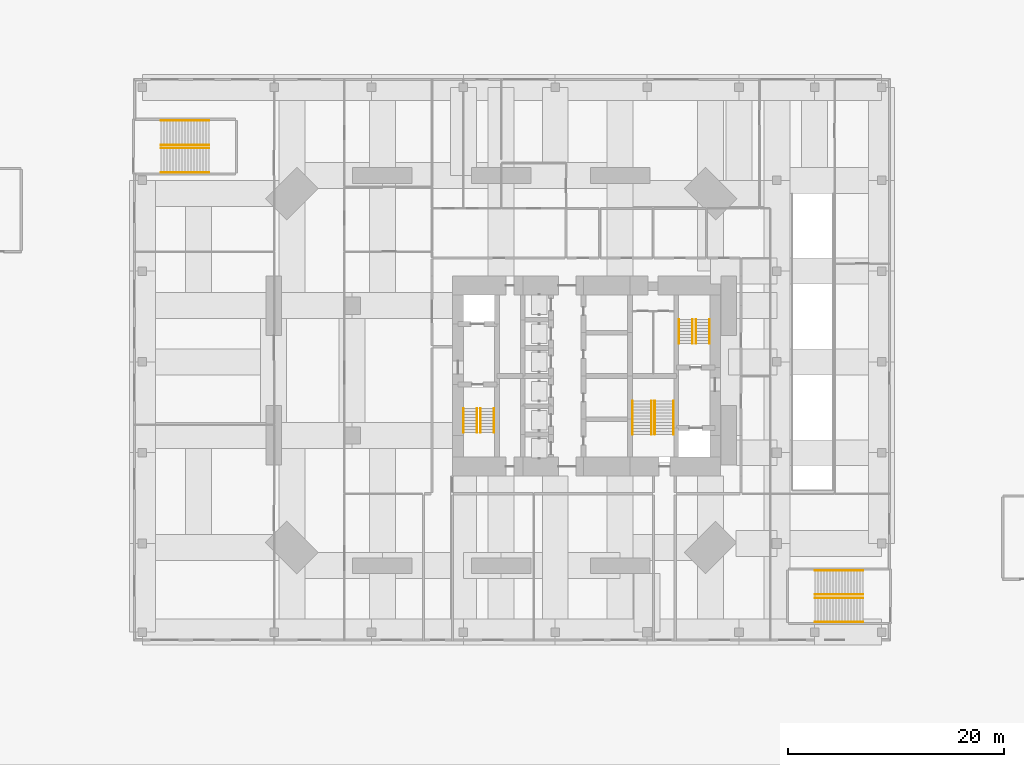
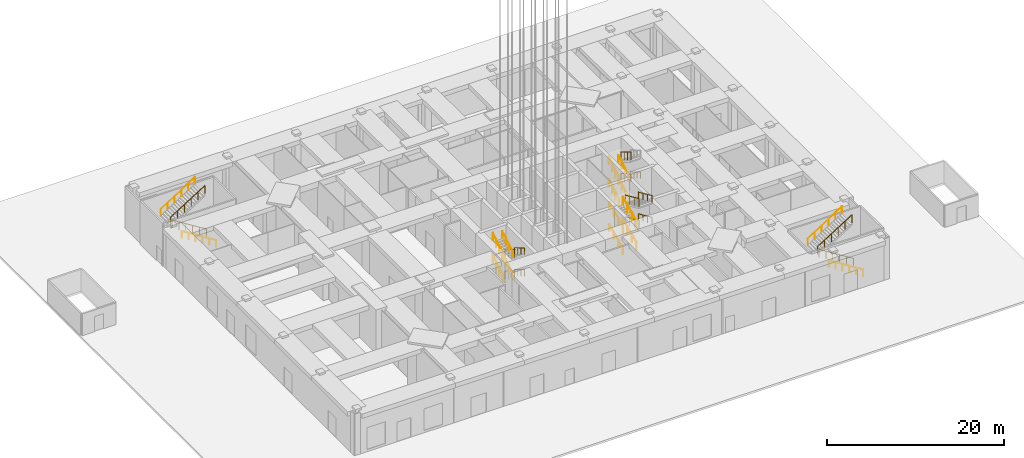
# One storey, part 15 of 17: 31 railings.
"""IFC4 building model written with IfcOpenShell, lengths in metres."""

from ifc_helpers import new_model, si_unit, direction, frame, origin, origin_2d, place, context, subcontext, project, spatial, rectangle, circle, extrude, material, constituent, constituent_set, type_object, element, save


model = new_model("IFC4")

# Units and contexts
model_context = context("Model", 3, precision=1e-05, world=origin(), true_north=direction((0.0, 1.0)))
body_context = subcontext(model_context, "Body", "Model", "MODEL_VIEW")
ifc_project = project(units=[si_unit("LENGTHUNIT", "METRE"), si_unit("AREAUNIT", "SQUARE_METRE"), si_unit("VOLUMEUNIT", "CUBIC_METRE"), si_unit("PLANEANGLEUNIT", "RADIAN"), si_unit("MASSUNIT", "GRAM", prefix="KILO")], contexts=[model_context])

# Site, building, storey
site_placement = place(None, origin())
site = spatial("IfcSite", under=ifc_project, at=site_placement, CompositionType="ELEMENT")
building_placement = place(site_placement, origin())
building = spatial("IfcBuilding", under=site, at=building_placement, Name="Jalousie Tower", CompositionType="ELEMENT")
storey_placement = place(building_placement, origin())
storey = spatial("IfcBuildingStorey", under=building, at=storey_placement, Name="L00", CompositionType="ELEMENT", Elevation=0.0)

# Railings
ifc_material_1 = material(Name="Steel ASTM A500 Grade C", Category="steel")
ifc_constituent_1 = constituent(ifc_material_1, Name="Body")
ifc_material_2 = material(Name="Hot-dip galvanised zinc coating")
ifc_constituent_2 = constituent(ifc_material_2, Name="Finish")
ifc_constituent_set_1 = constituent_set(constituents=[ifc_constituent_1, ifc_constituent_2])
railing_type_1 = type_object("IfcRailingType", Name="STAIR GUARD 1100", PredefinedType="GUARDRAIL", material=ifc_constituent_set_1)
railing_1_placement = place(storey_placement, frame((22.092529296875, 15.49755859375, 0.166748046875)))
element("IfcRailing", 1, at=railing_1_placement, inside=storey, type_object=railing_type_1, Name="Exit stair A guard L00 flight 1", PredefinedType="GUARDRAIL", context=body_context, shape_type="SweptSolid", body=[
    extrude(rectangle(XDim=0.048095703125, YDim=0.048095703125, at=origin_2d()), frame((0.0, 0.0, 1.076171875), z_axis=(0.0, -0.859305625298, 0.511462454469), x_axis=(1.0, 0.0, 0.0)), (0.0, 0.0, 1.0), 2.606689453125),
    extrude(circle(Radius=0.02099609375, at=origin_2d()), origin(), (0.0, 0.0, 1.0), 1.052001953125),
    extrude(circle(Radius=0.02099609375, at=origin_2d()), frame((0.0, -0.74658203125, 0.4443359375)), (0.0, 0.0, 1.0), 1.052001953125),
    extrude(circle(Radius=0.02099609375, at=origin_2d()), frame((0.0, -1.493408203125, 0.888916015625)), (0.0, 0.0, 1.0), 1.052001953125),
    extrude(circle(Radius=0.02099609375, at=origin_2d()), frame((0.0, -2.239990234375, 1.333251953125)), (0.0, 0.0, 1.0), 1.052001953125),
])
railing_2_placement = place(storey_placement, frame((20.52978515625, 13.257568359375, 1.666748046875)))
element("IfcRailing", 2, at=railing_2_placement, inside=storey, type_object=railing_type_1, Name="Exit stair A guard L00 flight 2", PredefinedType="GUARDRAIL", context=body_context, shape_type="SweptSolid", body=[
    extrude(rectangle(XDim=0.048095703125, YDim=0.048095703125, at=origin_2d()), frame((0.0, 0.0, 1.076171875), z_axis=(0.0, 0.859305625298, 0.511462454469), x_axis=(-1.0, 0.0, 0.0)), (0.0, 0.0, 1.0), 2.606689453125),
    extrude(circle(Radius=0.02099609375, at=origin_2d()), origin(), (0.0, 0.0, 1.0), 1.052001953125),
    extrude(circle(Radius=0.02099609375, at=origin_2d()), frame((0.0, 0.74658203125, 0.4443359375)), (0.0, 0.0, 1.0), 1.052001953125),
    extrude(circle(Radius=0.02099609375, at=origin_2d()), frame((0.0, 1.493408203125, 0.888916015625)), (0.0, 0.0, 1.0), 1.052001953125),
    extrude(circle(Radius=0.02099609375, at=origin_2d()), frame((0.0, 2.239990234375, 1.333251953125)), (0.0, 0.0, 1.0), 1.052001953125),
])
railing_3_placement = place(storey_placement, frame((22.092529296875, 15.49755859375, 3.166748046875)))
element("IfcRailing", 3, at=railing_3_placement, inside=storey, type_object=railing_type_1, Name="Exit stair A guard L00 flight 3", PredefinedType="GUARDRAIL", context=body_context, shape_type="SweptSolid", body=[
    extrude(rectangle(XDim=0.048095703125, YDim=0.048095703125, at=origin_2d()), frame((0.0, 0.0, 1.076171875), z_axis=(0.0, -0.859305625298, 0.511462454469), x_axis=(1.0, 0.0, 0.0)), (0.0, 0.0, 1.0), 2.606689453125),
    extrude(circle(Radius=0.02099609375, at=origin_2d()), origin(), (0.0, 0.0, 1.0), 1.052001953125),
    extrude(circle(Radius=0.02099609375, at=origin_2d()), frame((0.0, -0.74658203125, 0.4443359375)), (0.0, 0.0, 1.0), 1.052001953125),
    extrude(circle(Radius=0.02099609375, at=origin_2d()), frame((0.0, -1.493408203125, 0.888916015625)), (0.0, 0.0, 1.0), 1.052001953125),
    extrude(circle(Radius=0.02099609375, at=origin_2d()), frame((0.0, -2.239990234375, 1.333251953125)), (0.0, 0.0, 1.0), 1.052001953125),
])
for number, where, name in (
    (4, (20.52978515625, 13.257568359375, 4.666748046875), "Exit stair A guard L00 flight 4"),
    (5, (40.455078125, 21.50244140625, 0.166748046875), "Exit stair B guard L00 flight 1"),
):
    element("IfcRailing", number, at=place(storey_placement, frame(where)), inside=storey, type_object=railing_type_1, Name=name, PredefinedType="GUARDRAIL", context=body_context, shape_type="SweptSolid", body=[
        extrude(rectangle(XDim=0.048095703125, YDim=0.048095703125, at=origin_2d()), frame((0.0, 0.0, 1.076171875), z_axis=(0.0, 0.859305625298, 0.511462454469), x_axis=(-1.0, 0.0, 0.0)), (0.0, 0.0, 1.0), 2.606689453125),
        extrude(circle(Radius=0.02099609375, at=origin_2d()), origin(), (0.0, 0.0, 1.0), 1.052001953125),
        extrude(circle(Radius=0.02099609375, at=origin_2d()), frame((0.0, 0.74658203125, 0.4443359375)), (0.0, 0.0, 1.0), 1.052001953125),
        extrude(circle(Radius=0.02099609375, at=origin_2d()), frame((0.0, 1.493408203125, 0.888916015625)), (0.0, 0.0, 1.0), 1.052001953125),
        extrude(circle(Radius=0.02099609375, at=origin_2d()), frame((0.0, 2.239990234375, 1.333251953125)), (0.0, 0.0, 1.0), 1.052001953125),
    ])
railing_4_placement = place(storey_placement, frame((42.017578125, 23.742431640625, 1.666748046875)))
element("IfcRailing", 6, at=railing_4_placement, inside=storey, type_object=railing_type_1, Name="Exit stair B guard L00 flight 2", PredefinedType="GUARDRAIL", context=body_context, shape_type="SweptSolid", body=[
    extrude(rectangle(XDim=0.048095703125, YDim=0.048095703125, at=origin_2d()), frame((0.0, 0.0, 1.076171875), z_axis=(0.0, -0.859305625298, 0.511462454469), x_axis=(1.0, 0.0, 0.0)), (0.0, 0.0, 1.0), 2.606689453125),
    extrude(circle(Radius=0.02099609375, at=origin_2d()), origin(), (0.0, 0.0, 1.0), 1.052001953125),
    extrude(circle(Radius=0.02099609375, at=origin_2d()), frame((0.0, -0.74658203125, 0.4443359375)), (0.0, 0.0, 1.0), 1.052001953125),
    extrude(circle(Radius=0.02099609375, at=origin_2d()), frame((0.0, -1.493408203125, 0.888916015625)), (0.0, 0.0, 1.0), 1.052001953125),
    extrude(circle(Radius=0.02099609375, at=origin_2d()), frame((0.0, -2.239990234375, 1.333251953125)), (0.0, 0.0, 1.0), 1.052001953125),
])
railing_5_placement = place(storey_placement, frame((40.455078125, 21.50244140625, 3.166748046875)))
element("IfcRailing", 7, at=railing_5_placement, inside=storey, type_object=railing_type_1, Name="Exit stair B guard L00 flight 3", PredefinedType="GUARDRAIL", context=body_context, shape_type="SweptSolid", body=[
    extrude(rectangle(XDim=0.048095703125, YDim=0.048095703125, at=origin_2d()), frame((0.0, 0.0, 1.076171875), z_axis=(0.0, 0.859305625298, 0.511462454469), x_axis=(-1.0, 0.0, 0.0)), (0.0, 0.0, 1.0), 2.606689453125),
    extrude(circle(Radius=0.02099609375, at=origin_2d()), origin(), (0.0, 0.0, 1.0), 1.052001953125),
    extrude(circle(Radius=0.02099609375, at=origin_2d()), frame((0.0, 0.74658203125, 0.4443359375)), (0.0, 0.0, 1.0), 1.052001953125),
    extrude(circle(Radius=0.02099609375, at=origin_2d()), frame((0.0, 1.493408203125, 0.888916015625)), (0.0, 0.0, 1.0), 1.052001953125),
    extrude(circle(Radius=0.02099609375, at=origin_2d()), frame((0.0, 2.239990234375, 1.333251953125)), (0.0, 0.0, 1.0), 1.052001953125),
])
railing_6_placement = place(storey_placement, frame((42.017578125, 23.742431640625, 4.666748046875)))
element("IfcRailing", 8, at=railing_6_placement, inside=storey, type_object=railing_type_1, Name="Exit stair B guard L00 flight 4", PredefinedType="GUARDRAIL", context=body_context, shape_type="SweptSolid", body=[
    extrude(rectangle(XDim=0.048095703125, YDim=0.048095703125, at=origin_2d()), frame((0.0, 0.0, 1.076171875), z_axis=(0.0, -0.859305625298, 0.511462454469), x_axis=(1.0, 0.0, 0.0)), (0.0, 0.0, 1.0), 2.606689453125),
    extrude(circle(Radius=0.02099609375, at=origin_2d()), origin(), (0.0, 0.0, 1.0), 1.052001953125),
    extrude(circle(Radius=0.02099609375, at=origin_2d()), frame((0.0, -0.74658203125, 0.4443359375)), (0.0, 0.0, 1.0), 1.052001953125),
    extrude(circle(Radius=0.02099609375, at=origin_2d()), frame((0.0, -1.493408203125, 0.888916015625)), (0.0, 0.0, 1.0), 1.052001953125),
    extrude(circle(Radius=0.02099609375, at=origin_2d()), frame((0.0, -2.239990234375, 1.333251953125)), (0.0, 0.0, 1.0), 1.052001953125),
])
railing_7_placement = place(storey_placement, frame((37.89501953125, 13.097412109375, 0.125)))
element("IfcRailing", 9, at=railing_7_placement, inside=storey, type_object=railing_type_1, Name="Exit stair C guard L00 flight 1", PredefinedType="GUARDRAIL", context=body_context, shape_type="SweptSolid", body=[
    extrude(rectangle(XDim=0.048095703125, YDim=0.048095703125, at=origin_2d()), frame((0.0, 0.0, 1.076171875), z_axis=(0.0, 0.913141731355, 0.40764221869), x_axis=(-1.0, 0.0, 0.0)), (0.0, 0.0, 1.0), 3.373046875),
    extrude(circle(Radius=0.02099609375, at=origin_2d()), origin(), (0.0, 0.0, 1.0), 1.052001953125),
    extrude(circle(Radius=0.02099609375, at=origin_2d()), frame((0.0, 1.026611328125, 0.458251953125)), (0.0, 0.0, 1.0), 1.052001953125),
    extrude(circle(Radius=0.02099609375, at=origin_2d()), frame((0.0, 2.053466796875, 0.916748046875)), (0.0, 0.0, 1.0), 1.052001953125),
    extrude(circle(Radius=0.02099609375, at=origin_2d()), frame((0.0, 3.080078125, 1.375)), (0.0, 0.0, 1.0), 1.052001953125),
])
railing_8_placement = place(storey_placement, frame((38.205078125, 16.177490234375, 1.625)))
element("IfcRailing", 10, at=railing_8_placement, inside=storey, type_object=railing_type_1, Name="Exit stair C guard L00 flight 2", PredefinedType="GUARDRAIL", context=body_context, shape_type="SweptSolid", body=[
    extrude(rectangle(XDim=0.048095703125, YDim=0.048095703125, at=origin_2d()), frame((0.0, 0.0, 1.076171875), z_axis=(0.0, -0.913141731355, 0.40764221869), x_axis=(1.0, 0.0, 0.0)), (0.0, 0.0, 1.0), 3.373046875),
    extrude(circle(Radius=0.02099609375, at=origin_2d()), origin(), (0.0, 0.0, 1.0), 1.052001953125),
    extrude(circle(Radius=0.02099609375, at=origin_2d()), frame((0.0, -1.026611328125, 0.458251953125)), (0.0, 0.0, 1.0), 1.052001953125),
    extrude(circle(Radius=0.02099609375, at=origin_2d()), frame((0.0, -2.053466796875, 0.916748046875)), (0.0, 0.0, 1.0), 1.052001953125),
    extrude(circle(Radius=0.02099609375, at=origin_2d()), frame((0.0, -3.080078125, 1.375)), (0.0, 0.0, 1.0), 1.052001953125),
])
railing_9_placement = place(storey_placement, frame((37.89501953125, 13.097412109375, 3.125)))
element("IfcRailing", 11, at=railing_9_placement, inside=storey, type_object=railing_type_1, Name="Exit stair C guard L00 flight 3", PredefinedType="GUARDRAIL", context=body_context, shape_type="SweptSolid", body=[
    extrude(rectangle(XDim=0.048095703125, YDim=0.048095703125, at=origin_2d()), frame((0.0, 0.0, 1.076171875), z_axis=(0.0, 0.913141731355, 0.40764221869), x_axis=(-1.0, 0.0, 0.0)), (0.0, 0.0, 1.0), 3.373046875),
    extrude(circle(Radius=0.02099609375, at=origin_2d()), origin(), (0.0, 0.0, 1.0), 1.052001953125),
    extrude(circle(Radius=0.02099609375, at=origin_2d()), frame((0.0, 1.026611328125, 0.458251953125)), (0.0, 0.0, 1.0), 1.052001953125),
    extrude(circle(Radius=0.02099609375, at=origin_2d()), frame((0.0, 2.053466796875, 0.916748046875)), (0.0, 0.0, 1.0), 1.052001953125),
    extrude(circle(Radius=0.02099609375, at=origin_2d()), frame((0.0, 3.080078125, 1.375)), (0.0, 0.0, 1.0), 1.052001953125),
])
railing_10_placement = place(storey_placement, frame((38.205078125, 16.177490234375, 4.625)))
element("IfcRailing", 12, at=railing_10_placement, inside=storey, type_object=railing_type_1, Name="Exit stair C guard L00 flight 4", PredefinedType="GUARDRAIL", context=body_context, shape_type="SweptSolid", body=[
    extrude(rectangle(XDim=0.048095703125, YDim=0.048095703125, at=origin_2d()), frame((0.0, 0.0, 1.076171875), z_axis=(0.0, -0.913141731355, 0.40764221869), x_axis=(1.0, 0.0, 0.0)), (0.0, 0.0, 1.0), 3.373046875),
    extrude(circle(Radius=0.02099609375, at=origin_2d()), origin(), (0.0, 0.0, 1.0), 1.052001953125),
    extrude(circle(Radius=0.02099609375, at=origin_2d()), frame((0.0, -1.026611328125, 0.458251953125)), (0.0, 0.0, 1.0), 1.052001953125),
    extrude(circle(Radius=0.02099609375, at=origin_2d()), frame((0.0, -2.053466796875, 0.916748046875)), (0.0, 0.0, 1.0), 1.052001953125),
    extrude(circle(Radius=0.02099609375, at=origin_2d()), frame((0.0, -3.080078125, 1.375)), (0.0, 0.0, 1.0), 1.052001953125),
])
railing_11_placement = place(storey_placement, frame((-3.010009765625, 39.570068359375, 0.176513671875)))
element("IfcRailing", 13, at=railing_11_placement, inside=storey, type_object=railing_type_1, Name="Exit stair PS1 guard L00 flight 1", PredefinedType="GUARDRAIL", context=body_context, shape_type="SweptSolid", body=[
    extrude(rectangle(XDim=0.048095703125, YDim=0.048095703125, at=origin_2d()), frame((0.0, 0.0, 1.076171875), z_axis=(-0.845997938375, 0.0, 0.533186166611), x_axis=(0.0, -1.0, 0.0)), (0.0, 0.0, 1.0), 5.29541015625),
    extrude(circle(Radius=0.02099609375, at=origin_2d()), origin(), (0.0, 0.0, 1.0), 1.052001953125),
    extrude(circle(Radius=0.02099609375, at=origin_2d()), frame((-0.89599609375, 0.0, 0.564697265625)), (0.0, 0.0, 1.0), 1.052001953125),
    extrude(circle(Radius=0.02099609375, at=origin_2d()), frame((-1.7919921875, 0.0, 1.12939453125)), (0.0, 0.0, 1.0), 1.052001953125),
    extrude(circle(Radius=0.02099609375, at=origin_2d()), frame((-2.68798828125, 0.0, 1.694091796875)), (0.0, 0.0, 1.0), 1.052001953125),
    extrude(circle(Radius=0.02099609375, at=origin_2d()), frame((-3.583984375, 0.0, 2.2587890625)), (0.0, 0.0, 1.0), 1.052001953125),
    extrude(circle(Radius=0.02099609375, at=origin_2d()), frame((-4.47998046875, 0.0, 2.823486328125)), (0.0, 0.0, 1.0), 1.052001953125),
])
railing_12_placement = place(storey_placement, frame((-7.489990234375, 39.8798828125, 3.176513671875)))
element("IfcRailing", 14, at=railing_12_placement, inside=storey, type_object=railing_type_1, Name="Exit stair PS1 guard L00 flight 2", PredefinedType="GUARDRAIL", context=body_context, shape_type="SweptSolid", body=[
    extrude(rectangle(XDim=0.048095703125, YDim=0.048095703125, at=origin_2d()), frame((0.0, 0.0, 1.076171875), z_axis=(0.845997938375, 0.0, 0.533186166611), x_axis=(0.0, 1.0, 0.0)), (0.0, 0.0, 1.0), 5.29541015625),
    extrude(circle(Radius=0.02099609375, at=origin_2d()), origin(), (0.0, 0.0, 1.0), 1.052001953125),
    extrude(circle(Radius=0.02099609375, at=origin_2d()), frame((0.89599609375, 0.0, 0.564697265625)), (0.0, 0.0, 1.0), 1.052001953125),
    extrude(circle(Radius=0.02099609375, at=origin_2d()), frame((1.7919921875, 0.0, 1.12939453125)), (0.0, 0.0, 1.0), 1.052001953125),
    extrude(circle(Radius=0.02099609375, at=origin_2d()), frame((2.68798828125, 0.0, 1.694091796875)), (0.0, 0.0, 1.0), 1.052001953125),
    extrude(circle(Radius=0.02099609375, at=origin_2d()), frame((3.583984375, 0.0, 2.2587890625)), (0.0, 0.0, 1.0), 1.052001953125),
    extrude(circle(Radius=0.02099609375, at=origin_2d()), frame((4.47998046875, 0.0, 2.823486328125)), (0.0, 0.0, 1.0), 1.052001953125),
])
railing_13_placement = place(storey_placement, frame((57.489990234375, -2.030029296875, 0.176513671875)))
element("IfcRailing", 15, at=railing_13_placement, inside=storey, type_object=railing_type_1, Name="Exit stair PS2 guard L00 flight 1", PredefinedType="GUARDRAIL", context=body_context, shape_type="SweptSolid", body=[
    extrude(rectangle(XDim=0.048095703125, YDim=0.048095703125, at=origin_2d()), frame((0.0, 0.0, 1.076171875), z_axis=(-0.845997938375, 0.0, 0.533186166611), x_axis=(0.0, -1.0, 0.0)), (0.0, 0.0, 1.0), 5.29541015625),
    extrude(circle(Radius=0.02099609375, at=origin_2d()), origin(), (0.0, 0.0, 1.0), 1.052001953125),
    extrude(circle(Radius=0.02099609375, at=origin_2d()), frame((-0.89599609375, 0.0, 0.564697265625)), (0.0, 0.0, 1.0), 1.052001953125),
    extrude(circle(Radius=0.02099609375, at=origin_2d()), frame((-1.7919921875, 0.0, 1.12939453125)), (0.0, 0.0, 1.0), 1.052001953125),
    extrude(circle(Radius=0.02099609375, at=origin_2d()), frame((-2.68798828125, 0.0, 1.694091796875)), (0.0, 0.0, 1.0), 1.052001953125),
    extrude(circle(Radius=0.02099609375, at=origin_2d()), frame((-3.583984375, 0.0, 2.2587890625)), (0.0, 0.0, 1.0), 1.052001953125),
    extrude(circle(Radius=0.02099609375, at=origin_2d()), frame((-4.47998046875, 0.0, 2.823486328125)), (0.0, 0.0, 1.0), 1.052001953125),
])
railing_14_placement = place(storey_placement, frame((53.010009765625, -1.719970703125, 3.176513671875)))
element("IfcRailing", 16, at=railing_14_placement, inside=storey, type_object=railing_type_1, Name="Exit stair PS2 guard L00 flight 2", PredefinedType="GUARDRAIL", context=body_context, shape_type="SweptSolid", body=[
    extrude(rectangle(XDim=0.048095703125, YDim=0.048095703125, at=origin_2d()), frame((0.0, 0.0, 1.076171875), z_axis=(0.845997938375, 0.0, 0.533186166611), x_axis=(0.0, 1.0, 0.0)), (0.0, 0.0, 1.0), 5.29541015625),
    extrude(circle(Radius=0.02099609375, at=origin_2d()), origin(), (0.0, 0.0, 1.0), 1.052001953125),
    extrude(circle(Radius=0.02099609375, at=origin_2d()), frame((0.89599609375, 0.0, 0.564697265625)), (0.0, 0.0, 1.0), 1.052001953125),
    extrude(circle(Radius=0.02099609375, at=origin_2d()), frame((1.7919921875, 0.0, 1.12939453125)), (0.0, 0.0, 1.0), 1.052001953125),
    extrude(circle(Radius=0.02099609375, at=origin_2d()), frame((2.68798828125, 0.0, 1.694091796875)), (0.0, 0.0, 1.0), 1.052001953125),
    extrude(circle(Radius=0.02099609375, at=origin_2d()), frame((3.583984375, 0.0, 2.2587890625)), (0.0, 0.0, 1.0), 1.052001953125),
    extrude(circle(Radius=0.02099609375, at=origin_2d()), frame((4.47998046875, 0.0, 2.823486328125)), (0.0, 0.0, 1.0), 1.052001953125),
])
ifc_material_3 = material(Name="Steel ASTM A500 Grade C", Category="steel")
ifc_constituent_3 = constituent(ifc_material_3, Name="Body")
ifc_material_4 = material(Name="Hot-dip galvanised zinc coating")
ifc_constituent_4 = constituent(ifc_material_4, Name="Finish")
ifc_constituent_set_2 = constituent_set(constituents=[ifc_constituent_3, ifc_constituent_4])
railing_type_2 = type_object("IfcRailingType", Name="STAIR HANDRAIL 900", PredefinedType="HANDRAIL", material=ifc_constituent_set_2)
railing_15_placement = place(storey_placement, frame((23.34521484375, 15.49755859375, 0.166748046875)))
element("IfcRailing", 17, at=railing_15_placement, inside=storey, type_object=railing_type_2, Name="Exit stair A handrail L00 flight 1", PredefinedType="HANDRAIL", context=body_context, shape_type="SweptSolid", body=[
    extrude(circle(Radius=0.02392578125, at=origin_2d()), frame((0.0, 0.0, 0.8759765625), z_axis=(0.0, -0.859305625298, 0.511462454469), x_axis=(1.0, 0.0, 0.0)), (0.0, 0.0, 1.0), 2.606689453125),
    extrude(circle(Radius=0.02099609375, at=origin_2d()), origin(), (0.0, 0.0, 1.0), 0.851806640625),
    extrude(circle(Radius=0.02099609375, at=origin_2d()), frame((0.0, -0.74658203125, 0.4443359375)), (0.0, 0.0, 1.0), 0.851806640625),
    extrude(circle(Radius=0.02099609375, at=origin_2d()), frame((0.0, -1.493408203125, 0.888916015625)), (0.0, 0.0, 1.0), 0.851806640625),
    extrude(circle(Radius=0.02099609375, at=origin_2d()), frame((0.0, -2.239990234375, 1.333251953125)), (0.0, 0.0, 1.0), 0.851806640625),
])
railing_16_placement = place(storey_placement, frame((21.782470703125, 13.257568359375, 1.666748046875)))
element("IfcRailing", 18, at=railing_16_placement, inside=storey, type_object=railing_type_2, Name="Exit stair A handrail L00 flight 2", PredefinedType="HANDRAIL", context=body_context, shape_type="SweptSolid", body=[
    extrude(circle(Radius=0.02392578125, at=origin_2d()), frame((0.0, 0.0, 0.8759765625), z_axis=(0.0, 0.859305625298, 0.511462454469), x_axis=(-1.0, 0.0, 0.0)), (0.0, 0.0, 1.0), 2.606689453125),
    extrude(circle(Radius=0.02099609375, at=origin_2d()), origin(), (0.0, 0.0, 1.0), 0.851806640625),
    extrude(circle(Radius=0.02099609375, at=origin_2d()), frame((0.0, 0.74658203125, 0.4443359375)), (0.0, 0.0, 1.0), 0.851806640625),
    extrude(circle(Radius=0.02099609375, at=origin_2d()), frame((0.0, 1.493408203125, 0.888916015625)), (0.0, 0.0, 1.0), 0.851806640625),
    extrude(circle(Radius=0.02099609375, at=origin_2d()), frame((0.0, 2.239990234375, 1.333251953125)), (0.0, 0.0, 1.0), 0.851806640625),
])
railing_17_placement = place(storey_placement, frame((23.34521484375, 15.49755859375, 3.166748046875)))
element("IfcRailing", 19, at=railing_17_placement, inside=storey, type_object=railing_type_2, Name="Exit stair A handrail L00 flight 3", PredefinedType="HANDRAIL", context=body_context, shape_type="SweptSolid", body=[
    extrude(circle(Radius=0.02392578125, at=origin_2d()), frame((0.0, 0.0, 0.8759765625), z_axis=(0.0, -0.859305625298, 0.511462454469), x_axis=(1.0, 0.0, 0.0)), (0.0, 0.0, 1.0), 2.606689453125),
    extrude(circle(Radius=0.02099609375, at=origin_2d()), origin(), (0.0, 0.0, 1.0), 0.851806640625),
    extrude(circle(Radius=0.02099609375, at=origin_2d()), frame((0.0, -0.74658203125, 0.4443359375)), (0.0, 0.0, 1.0), 0.851806640625),
    extrude(circle(Radius=0.02099609375, at=origin_2d()), frame((0.0, -1.493408203125, 0.888916015625)), (0.0, 0.0, 1.0), 0.851806640625),
    extrude(circle(Radius=0.02099609375, at=origin_2d()), frame((0.0, -2.239990234375, 1.333251953125)), (0.0, 0.0, 1.0), 0.851806640625),
])
for number, where, name in (
    (20, (21.782470703125, 13.257568359375, 4.666748046875), "Exit stair A handrail L00 flight 4"),
    (21, (41.70751953125, 21.50244140625, 0.166748046875), "Exit stair B handrail L00 flight 1"),
):
    element("IfcRailing", number, at=place(storey_placement, frame(where)), inside=storey, type_object=railing_type_2, Name=name, PredefinedType="HANDRAIL", context=body_context, shape_type="SweptSolid", body=[
        extrude(circle(Radius=0.02392578125, at=origin_2d()), frame((0.0, 0.0, 0.8759765625), z_axis=(0.0, 0.859305625298, 0.511462454469), x_axis=(-1.0, 0.0, 0.0)), (0.0, 0.0, 1.0), 2.606689453125),
        extrude(circle(Radius=0.02099609375, at=origin_2d()), origin(), (0.0, 0.0, 1.0), 0.851806640625),
        extrude(circle(Radius=0.02099609375, at=origin_2d()), frame((0.0, 0.74658203125, 0.4443359375)), (0.0, 0.0, 1.0), 0.851806640625),
        extrude(circle(Radius=0.02099609375, at=origin_2d()), frame((0.0, 1.493408203125, 0.888916015625)), (0.0, 0.0, 1.0), 0.851806640625),
        extrude(circle(Radius=0.02099609375, at=origin_2d()), frame((0.0, 2.239990234375, 1.333251953125)), (0.0, 0.0, 1.0), 0.851806640625),
    ])
railing_18_placement = place(storey_placement, frame((43.27001953125, 23.742431640625, 1.666748046875)))
element("IfcRailing", 22, at=railing_18_placement, inside=storey, type_object=railing_type_2, Name="Exit stair B handrail L00 flight 2", PredefinedType="HANDRAIL", context=body_context, shape_type="SweptSolid", body=[
    extrude(circle(Radius=0.02392578125, at=origin_2d()), frame((0.0, 0.0, 0.8759765625), z_axis=(0.0, -0.859305625298, 0.511462454469), x_axis=(1.0, 0.0, 0.0)), (0.0, 0.0, 1.0), 2.606689453125),
    extrude(circle(Radius=0.02099609375, at=origin_2d()), origin(), (0.0, 0.0, 1.0), 0.851806640625),
    extrude(circle(Radius=0.02099609375, at=origin_2d()), frame((0.0, -0.74658203125, 0.4443359375)), (0.0, 0.0, 1.0), 0.851806640625),
    extrude(circle(Radius=0.02099609375, at=origin_2d()), frame((0.0, -1.493408203125, 0.888916015625)), (0.0, 0.0, 1.0), 0.851806640625),
    extrude(circle(Radius=0.02099609375, at=origin_2d()), frame((0.0, -2.239990234375, 1.333251953125)), (0.0, 0.0, 1.0), 0.851806640625),
])
railing_19_placement = place(storey_placement, frame((41.70751953125, 21.50244140625, 3.166748046875)))
element("IfcRailing", 23, at=railing_19_placement, inside=storey, type_object=railing_type_2, Name="Exit stair B handrail L00 flight 3", PredefinedType="HANDRAIL", context=body_context, shape_type="SweptSolid", body=[
    extrude(circle(Radius=0.02392578125, at=origin_2d()), frame((0.0, 0.0, 0.8759765625), z_axis=(0.0, 0.859305625298, 0.511462454469), x_axis=(-1.0, 0.0, 0.0)), (0.0, 0.0, 1.0), 2.606689453125),
    extrude(circle(Radius=0.02099609375, at=origin_2d()), origin(), (0.0, 0.0, 1.0), 0.851806640625),
    extrude(circle(Radius=0.02099609375, at=origin_2d()), frame((0.0, 0.74658203125, 0.4443359375)), (0.0, 0.0, 1.0), 0.851806640625),
    extrude(circle(Radius=0.02099609375, at=origin_2d()), frame((0.0, 1.493408203125, 0.888916015625)), (0.0, 0.0, 1.0), 0.851806640625),
    extrude(circle(Radius=0.02099609375, at=origin_2d()), frame((0.0, 2.239990234375, 1.333251953125)), (0.0, 0.0, 1.0), 0.851806640625),
])
railing_20_placement = place(storey_placement, frame((36.155029296875, 13.097412109375, 0.125)))
element("IfcRailing", 24, at=railing_20_placement, inside=storey, type_object=railing_type_2, Name="Exit stair C handrail L00 flight 1", PredefinedType="HANDRAIL", context=body_context, shape_type="SweptSolid", body=[
    extrude(circle(Radius=0.02392578125, at=origin_2d()), frame((0.0, 0.0, 0.8759765625), z_axis=(0.0, 0.913141731355, 0.40764221869), x_axis=(-1.0, 0.0, 0.0)), (0.0, 0.0, 1.0), 3.373046875),
    extrude(circle(Radius=0.02099609375, at=origin_2d()), origin(), (0.0, 0.0, 1.0), 0.851806640625),
    extrude(circle(Radius=0.02099609375, at=origin_2d()), frame((0.0, 1.026611328125, 0.458251953125)), (0.0, 0.0, 1.0), 0.851806640625),
    extrude(circle(Radius=0.02099609375, at=origin_2d()), frame((0.0, 2.053466796875, 0.916748046875)), (0.0, 0.0, 1.0), 0.851806640625),
    extrude(circle(Radius=0.02099609375, at=origin_2d()), frame((0.0, 3.080078125, 1.375)), (0.0, 0.0, 1.0), 0.851806640625),
])
railing_21_placement = place(storey_placement, frame((39.945068359375, 16.177490234375, 1.625)))
element("IfcRailing", 25, at=railing_21_placement, inside=storey, type_object=railing_type_2, Name="Exit stair C handrail L00 flight 2", PredefinedType="HANDRAIL", context=body_context, shape_type="SweptSolid", body=[
    extrude(circle(Radius=0.02392578125, at=origin_2d()), frame((0.0, 0.0, 0.8759765625), z_axis=(0.0, -0.913141731355, 0.40764221869), x_axis=(1.0, 0.0, 0.0)), (0.0, 0.0, 1.0), 3.373046875),
    extrude(circle(Radius=0.02099609375, at=origin_2d()), origin(), (0.0, 0.0, 1.0), 0.851806640625),
    extrude(circle(Radius=0.02099609375, at=origin_2d()), frame((0.0, -1.026611328125, 0.458251953125)), (0.0, 0.0, 1.0), 0.851806640625),
    extrude(circle(Radius=0.02099609375, at=origin_2d()), frame((0.0, -2.053466796875, 0.916748046875)), (0.0, 0.0, 1.0), 0.851806640625),
    extrude(circle(Radius=0.02099609375, at=origin_2d()), frame((0.0, -3.080078125, 1.375)), (0.0, 0.0, 1.0), 0.851806640625),
])
railing_22_placement = place(storey_placement, frame((36.155029296875, 13.097412109375, 3.125)))
element("IfcRailing", 26, at=railing_22_placement, inside=storey, type_object=railing_type_2, Name="Exit stair C handrail L00 flight 3", PredefinedType="HANDRAIL", context=body_context, shape_type="SweptSolid", body=[
    extrude(circle(Radius=0.02392578125, at=origin_2d()), frame((0.0, 0.0, 0.8759765625), z_axis=(0.0, 0.913141731355, 0.40764221869), x_axis=(-1.0, 0.0, 0.0)), (0.0, 0.0, 1.0), 3.373046875),
    extrude(circle(Radius=0.02099609375, at=origin_2d()), origin(), (0.0, 0.0, 1.0), 0.851806640625),
    extrude(circle(Radius=0.02099609375, at=origin_2d()), frame((0.0, 1.026611328125, 0.458251953125)), (0.0, 0.0, 1.0), 0.851806640625),
    extrude(circle(Radius=0.02099609375, at=origin_2d()), frame((0.0, 2.053466796875, 0.916748046875)), (0.0, 0.0, 1.0), 0.851806640625),
    extrude(circle(Radius=0.02099609375, at=origin_2d()), frame((0.0, 3.080078125, 1.375)), (0.0, 0.0, 1.0), 0.851806640625),
])
railing_23_placement = place(storey_placement, frame((39.945068359375, 16.177490234375, 4.625)))
element("IfcRailing", 27, at=railing_23_placement, inside=storey, type_object=railing_type_2, Name="Exit stair C handrail L00 flight 4", PredefinedType="HANDRAIL", context=body_context, shape_type="SweptSolid", body=[
    extrude(circle(Radius=0.02392578125, at=origin_2d()), frame((0.0, 0.0, 0.8759765625), z_axis=(0.0, -0.913141731355, 0.40764221869), x_axis=(1.0, 0.0, 0.0)), (0.0, 0.0, 1.0), 3.373046875),
    extrude(circle(Radius=0.02099609375, at=origin_2d()), origin(), (0.0, 0.0, 1.0), 0.851806640625),
    extrude(circle(Radius=0.02099609375, at=origin_2d()), frame((0.0, -1.026611328125, 0.458251953125)), (0.0, 0.0, 1.0), 0.851806640625),
    extrude(circle(Radius=0.02099609375, at=origin_2d()), frame((0.0, -2.053466796875, 0.916748046875)), (0.0, 0.0, 1.0), 0.851806640625),
    extrude(circle(Radius=0.02099609375, at=origin_2d()), frame((0.0, -3.080078125, 1.375)), (0.0, 0.0, 1.0), 0.851806640625),
])
railing_24_placement = place(storey_placement, frame((-3.010009765625, 37.330078125, 0.176513671875)))
element("IfcRailing", 28, at=railing_24_placement, inside=storey, type_object=railing_type_2, Name="Exit stair PS1 handrail L00 flight 1", PredefinedType="HANDRAIL", context=body_context, shape_type="SweptSolid", body=[
    extrude(circle(Radius=0.02392578125, at=origin_2d()), frame((0.0, 0.0, 0.8759765625), z_axis=(-0.845997938375, 0.0, 0.533186166611), x_axis=(0.0, -1.0, 0.0)), (0.0, 0.0, 1.0), 5.29541015625),
    extrude(circle(Radius=0.02099609375, at=origin_2d()), origin(), (0.0, 0.0, 1.0), 0.851806640625),
    extrude(circle(Radius=0.02099609375, at=origin_2d()), frame((-0.89599609375, 0.0, 0.564697265625)), (0.0, 0.0, 1.0), 0.851806640625),
    extrude(circle(Radius=0.02099609375, at=origin_2d()), frame((-1.7919921875, 0.0, 1.12939453125)), (0.0, 0.0, 1.0), 0.851806640625),
    extrude(circle(Radius=0.02099609375, at=origin_2d()), frame((-2.68798828125, 0.0, 1.694091796875)), (0.0, 0.0, 1.0), 0.851806640625),
    extrude(circle(Radius=0.02099609375, at=origin_2d()), frame((-3.583984375, 0.0, 2.2587890625)), (0.0, 0.0, 1.0), 0.851806640625),
    extrude(circle(Radius=0.02099609375, at=origin_2d()), frame((-4.47998046875, 0.0, 2.823486328125)), (0.0, 0.0, 1.0), 0.851806640625),
])
railing_25_placement = place(storey_placement, frame((-7.489990234375, 42.1201171875, 3.176513671875)))
element("IfcRailing", 29, at=railing_25_placement, inside=storey, type_object=railing_type_2, Name="Exit stair PS1 handrail L00 flight 2", PredefinedType="HANDRAIL", context=body_context, shape_type="SweptSolid", body=[
    extrude(circle(Radius=0.02392578125, at=origin_2d()), frame((0.0, 0.0, 0.8759765625), z_axis=(0.845997938375, 0.0, 0.533186166611), x_axis=(0.0, 1.0, 0.0)), (0.0, 0.0, 1.0), 5.29541015625),
    extrude(circle(Radius=0.02099609375, at=origin_2d()), origin(), (0.0, 0.0, 1.0), 0.851806640625),
    extrude(circle(Radius=0.02099609375, at=origin_2d()), frame((0.89599609375, 0.0, 0.564697265625)), (0.0, 0.0, 1.0), 0.851806640625),
    extrude(circle(Radius=0.02099609375, at=origin_2d()), frame((1.7919921875, 0.0, 1.12939453125)), (0.0, 0.0, 1.0), 0.851806640625),
    extrude(circle(Radius=0.02099609375, at=origin_2d()), frame((2.68798828125, 0.0, 1.694091796875)), (0.0, 0.0, 1.0), 0.851806640625),
    extrude(circle(Radius=0.02099609375, at=origin_2d()), frame((3.583984375, 0.0, 2.2587890625)), (0.0, 0.0, 1.0), 0.851806640625),
    extrude(circle(Radius=0.02099609375, at=origin_2d()), frame((4.47998046875, 0.0, 2.823486328125)), (0.0, 0.0, 1.0), 0.851806640625),
])
railing_26_placement = place(storey_placement, frame((57.489990234375, -4.27001953125, 0.176513671875)))
element("IfcRailing", 30, at=railing_26_placement, inside=storey, type_object=railing_type_2, Name="Exit stair PS2 handrail L00 flight 1", PredefinedType="HANDRAIL", context=body_context, shape_type="SweptSolid", body=[
    extrude(circle(Radius=0.02392578125, at=origin_2d()), frame((0.0, 0.0, 0.8759765625), z_axis=(-0.845997938375, 0.0, 0.533186166611), x_axis=(0.0, -1.0, 0.0)), (0.0, 0.0, 1.0), 5.29541015625),
    extrude(circle(Radius=0.02099609375, at=origin_2d()), origin(), (0.0, 0.0, 1.0), 0.851806640625),
    extrude(circle(Radius=0.02099609375, at=origin_2d()), frame((-0.89599609375, 0.0, 0.564697265625)), (0.0, 0.0, 1.0), 0.851806640625),
    extrude(circle(Radius=0.02099609375, at=origin_2d()), frame((-1.7919921875, 0.0, 1.12939453125)), (0.0, 0.0, 1.0), 0.851806640625),
    extrude(circle(Radius=0.02099609375, at=origin_2d()), frame((-2.68798828125, 0.0, 1.694091796875)), (0.0, 0.0, 1.0), 0.851806640625),
    extrude(circle(Radius=0.02099609375, at=origin_2d()), frame((-3.583984375, 0.0, 2.2587890625)), (0.0, 0.0, 1.0), 0.851806640625),
    extrude(circle(Radius=0.02099609375, at=origin_2d()), frame((-4.47998046875, 0.0, 2.823486328125)), (0.0, 0.0, 1.0), 0.851806640625),
])
railing_27_placement = place(storey_placement, frame((53.010009765625, 0.52001953125, 3.176513671875)))
element("IfcRailing", 31, at=railing_27_placement, inside=storey, type_object=railing_type_2, Name="Exit stair PS2 handrail L00 flight 2", PredefinedType="HANDRAIL", context=body_context, shape_type="SweptSolid", body=[
    extrude(circle(Radius=0.02392578125, at=origin_2d()), frame((0.0, 0.0, 0.8759765625), z_axis=(0.845997938375, 0.0, 0.533186166611), x_axis=(0.0, 1.0, 0.0)), (0.0, 0.0, 1.0), 5.29541015625),
    extrude(circle(Radius=0.02099609375, at=origin_2d()), origin(), (0.0, 0.0, 1.0), 0.851806640625),
    extrude(circle(Radius=0.02099609375, at=origin_2d()), frame((0.89599609375, 0.0, 0.564697265625)), (0.0, 0.0, 1.0), 0.851806640625),
    extrude(circle(Radius=0.02099609375, at=origin_2d()), frame((1.7919921875, 0.0, 1.12939453125)), (0.0, 0.0, 1.0), 0.851806640625),
    extrude(circle(Radius=0.02099609375, at=origin_2d()), frame((2.68798828125, 0.0, 1.694091796875)), (0.0, 0.0, 1.0), 0.851806640625),
    extrude(circle(Radius=0.02099609375, at=origin_2d()), frame((3.583984375, 0.0, 2.2587890625)), (0.0, 0.0, 1.0), 0.851806640625),
    extrude(circle(Radius=0.02099609375, at=origin_2d()), frame((4.47998046875, 0.0, 2.823486328125)), (0.0, 0.0, 1.0), 0.851806640625),
])

save(model, "model.ifc")
